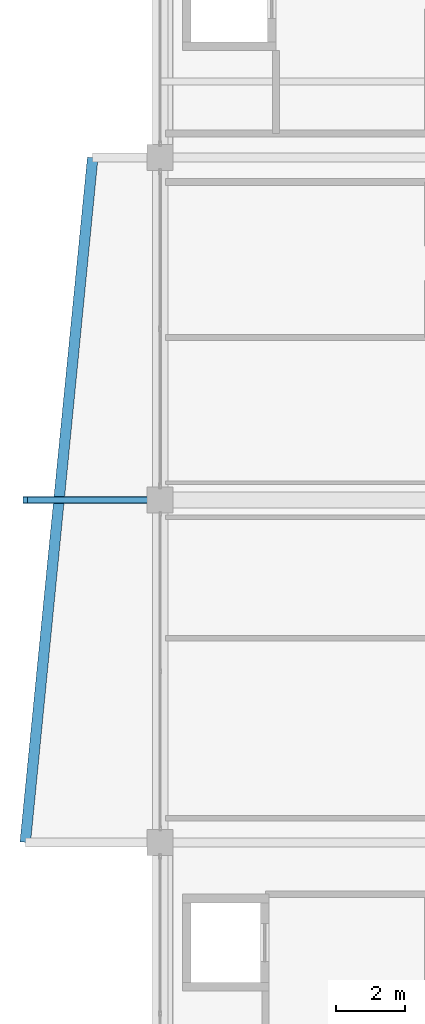
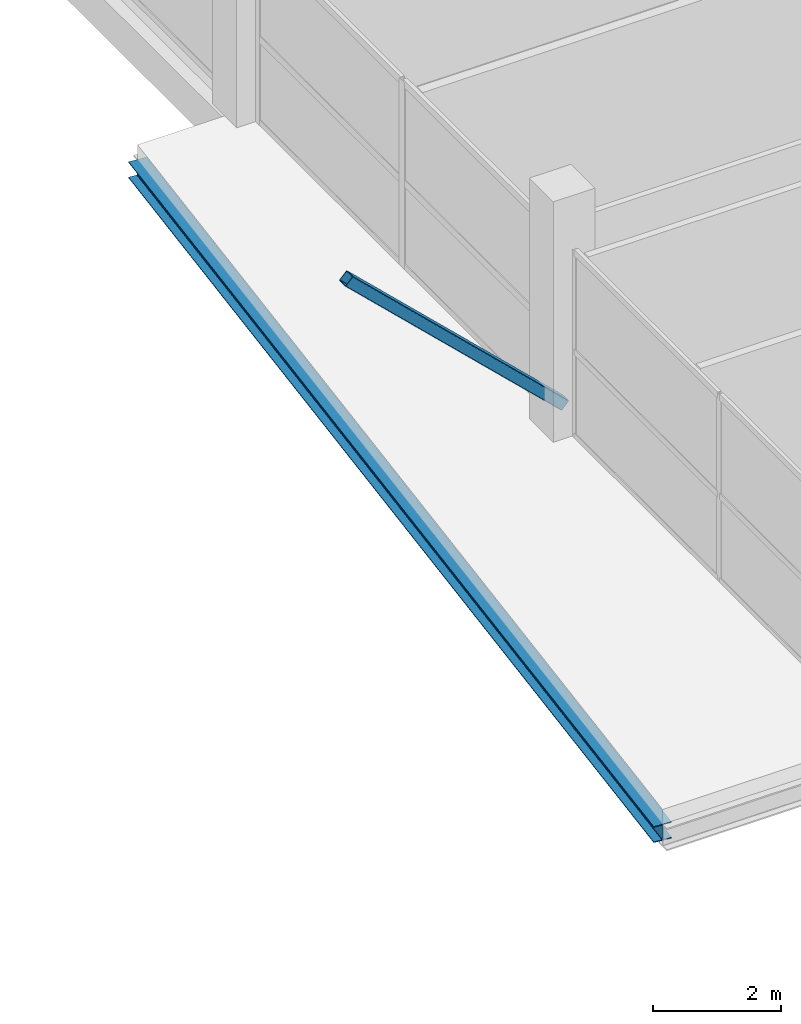
# One storey, part 16 of 58: 1 beam, 1 member.
"""IFC4 building model written with IfcOpenShell, lengths in metres."""

from ifc_helpers import new_model, si_unit, direction, frame, origin, origin_2d, place, context, subcontext, project, spatial, hollow_rectangle, i_section, extrude, material, material_profile, profile_set, type_object, element, save


model = new_model("IFC4")

# Units and contexts
model_context = context("Model", 3, precision=1e-05, world=origin(), true_north=direction((0.0, 1.0)))
body_context = subcontext(model_context, "Body", "Model", "MODEL_VIEW")
ifc_project = project(units=[si_unit("LENGTHUNIT", "METRE"), si_unit("AREAUNIT", "SQUARE_METRE"), si_unit("VOLUMEUNIT", "CUBIC_METRE"), si_unit("PLANEANGLEUNIT", "RADIAN"), si_unit("MASSUNIT", "GRAM", prefix="KILO")], contexts=[model_context])

# Site, building, storey
site_placement = place(None, origin())
site = spatial("IfcSite", under=ifc_project, at=site_placement, CompositionType="ELEMENT")
building_placement = place(site_placement, origin())
building = spatial("IfcBuilding", under=site, at=building_placement, Name="Sillaruma Civic Art Gallery", CompositionType="ELEMENT")
storey_placement = place(building_placement, frame((0.0, 0.0, 28.56005859375)))
storey = spatial("IfcBuildingStorey", under=building, at=storey_placement, Name="L05", CompositionType="ELEMENT", Elevation=28.56005859375)

# Beam
ifc_material_1 = material(Name="Structural Steel ASTM A992 Gr.50", Category="steel")
ifc_material_profile_1 = material_profile(ifc_material_1, i_section(OverallWidth=0.305908203125, OverallDepth=0.31103515625, WebThickness=0.010986328125, FlangeThickness=0.01708984375, FilletRadius=0.014892578125, at=origin_2d()), Name="W310x107")
ifc_profile_set_1 = profile_set([ifc_material_profile_1], Name="Structural Steel ASTM A992 Gr.50")
beam_type = type_object("IfcBeamType", Name="BM-PROW-W310x107", PredefinedType="SPANDREL", material=ifc_profile_set_1)
beam_placement = place(storey_placement, frame((58.10009765625, 49.5, -0.435546875), z_axis=(0.098008009694, 0.995185625919, 0.0), x_axis=(-0.995185625919, 0.098008009694, 0.0)))
element("IfcBeam", 1, at=beam_placement, inside=storey, type_object=beam_type, Name="Angled Prow Edge Spandrel (PRW-L04-W-ROF)", PredefinedType="SPANDREL", context=body_context, shape_type="SweptSolid", body=[
    extrude(i_section(OverallWidth=0.305908203125, OverallDepth=0.31103515625, WebThickness=0.010986328125, FlangeThickness=0.01708984375, FilletRadius=0.014892578125, at=origin_2d()), origin(), (0.0, 0.0, 1.0), 19.895751953125),
])

# Member
ifc_material_2 = material(Name="Structural Steel ASTM A500 Gr.C", Category="steel")
ifc_material_profile_2 = material_profile(ifc_material_2, hollow_rectangle(XDim=0.199951171875, YDim=0.199951171875, WallThickness=0.010009765625, InnerFilletRadius=0.010009765625, OuterFilletRadius=0.02001953125, at=origin_2d()), Name="HSS200x200x10")
ifc_profile_set_2 = profile_set([ifc_material_profile_2], Name="Structural Steel ASTM A500 Gr.C")
member_type = type_object("IfcMemberType", Name="MEM-PROW-BRACE", PredefinedType="BRACE", material=ifc_profile_set_2)
member_placement = place(storey_placement, frame((62.0, 59.39990234375, 0.39990234375), z_axis=(-0.722246017124, 0.0, 0.691636241639), x_axis=(0.0, -1.0, 0.0)))
element("IfcMember", 2, at=member_placement, inside=storey, type_object=member_type, Name="Deconstructivist Prow Diagonal Brace (PRW-L06-W-FLR-N)", PredefinedType="BRACE", context=body_context, shape_type="SweptSolid", body=[
    extrude(hollow_rectangle(XDim=0.199951171875, YDim=0.199951171875, WallThickness=0.010009765625, InnerFilletRadius=0.010009765625, OuterFilletRadius=0.02001953125, at=origin_2d()), origin(), (0.0, 0.0, 1.0), 5.399658203125),
])

save(model, "model.ifc")
